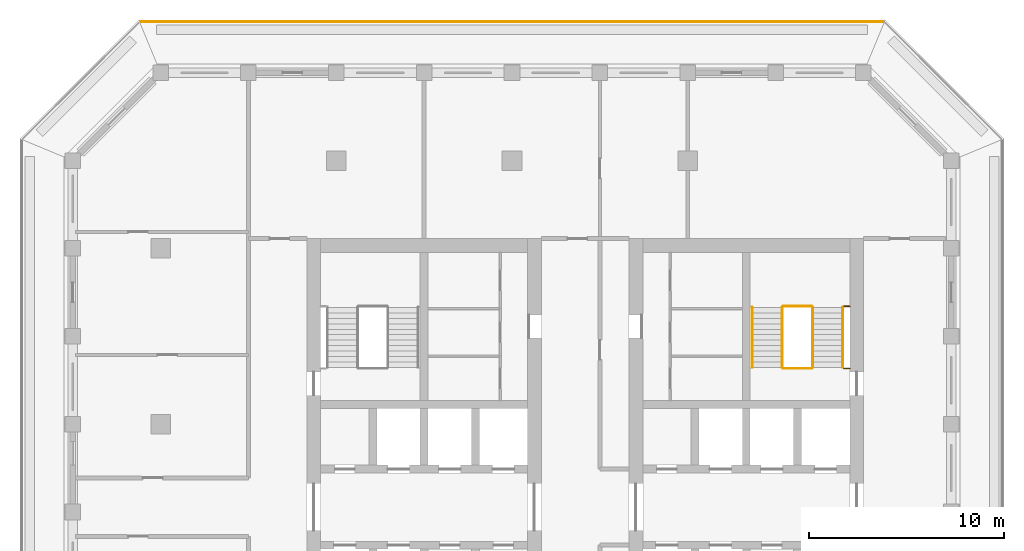
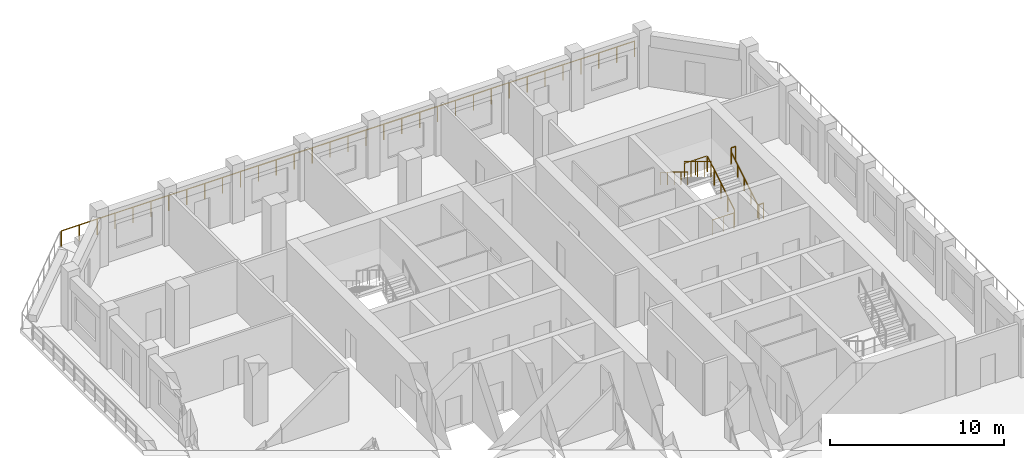
# One storey, part 12 of 14: 9 railings.
"""IFC4 building model written with IfcOpenShell, lengths in metres."""

from ifc_helpers import new_model, si_unit, direction, frame, origin, origin_2d, place, context, subcontext, project, spatial, circle, extrude, material, type_object, element, save


model = new_model("IFC4")

# Units and contexts
model_context = context("Model", 3, precision=1e-05, world=origin(), true_north=direction((0.0, 1.0)))
body_context = subcontext(model_context, "Body", "Model", "MODEL_VIEW")
ifc_project = project(units=[si_unit("LENGTHUNIT", "METRE"), si_unit("AREAUNIT", "SQUARE_METRE"), si_unit("VOLUMEUNIT", "CUBIC_METRE"), si_unit("PLANEANGLEUNIT", "RADIAN"), si_unit("MASSUNIT", "GRAM", prefix="KILO")], contexts=[model_context])

# Site, building, storey
site_placement = place(None, origin())
site = spatial("IfcSite", under=ifc_project, at=site_placement, CompositionType="ELEMENT")
building_placement = place(site_placement, origin())
building = spatial("IfcBuilding", under=site, at=building_placement, Name="Corbel Stack Research Tower", CompositionType="ELEMENT")
storey_placement = place(building_placement, frame((0.0, 0.0, 286.800048828125)))
storey = spatial("IfcBuildingStorey", under=building, at=storey_placement, Name="L65", CompositionType="ELEMENT", Elevation=286.800048828125)

# Railings
ifc_material_1 = material(Name="Steel S355", Category="steel")
railing_type_1 = type_object("IfcRailingType", Name="Stair guard 1100", PredefinedType="GUARDRAIL", material=ifc_material_1)
railing_1_placement = place(storey_placement, frame((15.39990234375, 11.89990234375, 0.1708984375)))
element("IfcRailing", 1, at=railing_1_placement, inside=storey, type_object=railing_type_1, Name="L65 ST-E2 stair guard 1", PredefinedType="GUARDRAIL", context=body_context, shape_type="SweptSolid", body=[
    extrude(circle(Radius=0.02392578125, at=origin_2d()), frame((0.0, 0.0, 1.076171875), z_axis=(0.0, 0.853666305674, 0.52082035152), x_axis=(-1.0, 0.0, 0.0)), (0.0, 0.0, 1.0), 3.608154296875),
    extrude(circle(Radius=0.02099609375, at=origin_2d()), origin(), (0.0, 0.0, 1.0), 1.052001953125),
    extrude(circle(Radius=0.02099609375, at=origin_2d()), frame((0.0, 0.77001953125, 0.4697265625)), (0.0, 0.0, 1.0), 1.052001953125),
    extrude(circle(Radius=0.02099609375, at=origin_2d()), frame((0.0, 1.5400390625, 0.939453125)), (0.0, 0.0, 1.0), 1.052001953125),
    extrude(circle(Radius=0.02099609375, at=origin_2d()), frame((0.0, 2.31005859375, 1.409423828125)), (0.0, 0.0, 1.0), 1.052001953125),
    extrude(circle(Radius=0.02099609375, at=origin_2d()), frame((0.0, 3.080078125, 1.879150390625)), (0.0, 0.0, 1.0), 1.052001953125),
])
railing_2_placement = place(storey_placement, frame((15.35009765625, 15.030029296875, 2.050048828125)))
element("IfcRailing", 2, at=railing_2_placement, inside=storey, type_object=railing_type_1, Name="L65 ST-E2 stair guard 2", PredefinedType="GUARDRAIL", context=body_context, shape_type="SweptSolid", body=[
    extrude(circle(Radius=0.02392578125, at=origin_2d()), frame((0.0, 0.0, 1.076171875), z_axis=(-1.0, 0.0, 0.0), x_axis=(0.0, -1.0, 0.0)), (0.0, 0.0, 1.0), 1.4501953125),
    extrude(circle(Radius=0.02099609375, at=origin_2d()), origin(), (0.0, 0.0, 1.0), 1.052001953125),
    extrude(circle(Radius=0.02099609375, at=origin_2d()), frame((-0.72509765625, 0.0, 0.0)), (0.0, 0.0, 1.0), 1.052001953125),
    extrude(circle(Radius=0.02099609375, at=origin_2d()), frame((-1.4501953125, 0.0, 0.0)), (0.0, 0.0, 1.0), 1.052001953125),
])
railing_3_placement = place(storey_placement, frame((17.300048828125, 15.030029296875, 2.050048828125)))
element("IfcRailing", 3, at=railing_3_placement, inside=storey, type_object=railing_type_1, Name="L65 ST-E2 stair guard 3", PredefinedType="GUARDRAIL", context=body_context, shape_type="SweptSolid", body=[
    extrude(circle(Radius=0.02392578125, at=origin_2d()), frame((0.0, 0.0, 1.076171875), z_axis=(-1.0, 0.0, 0.0), x_axis=(0.0, -1.0, 0.0)), (0.0, 0.0, 1.0), 0.300048828125),
    extrude(circle(Radius=0.02099609375, at=origin_2d()), origin(), (0.0, 0.0, 1.0), 1.052001953125),
    extrude(circle(Radius=0.02099609375, at=origin_2d()), frame((-0.300048828125, 0.0, 0.0)), (0.0, 0.0, 1.0), 1.052001953125),
])
railing_4_placement = place(storey_placement, frame((13.85009765625, 14.97998046875, 2.220703125)))
element("IfcRailing", 4, at=railing_4_placement, inside=storey, type_object=railing_type_1, Name="L65 ST-E2 stair guard 4", PredefinedType="GUARDRAIL", context=body_context, shape_type="SweptSolid", body=[
    extrude(circle(Radius=0.02392578125, at=origin_2d()), frame((0.0, 0.0, 1.076171875), z_axis=(0.0, -0.853666305674, 0.52082035152), x_axis=(1.0, 0.0, 0.0)), (0.0, 0.0, 1.0), 3.608154296875),
    extrude(circle(Radius=0.02099609375, at=origin_2d()), origin(), (0.0, 0.0, 1.0), 1.052001953125),
    extrude(circle(Radius=0.02099609375, at=origin_2d()), frame((0.0, -0.77001953125, 0.4697265625)), (0.0, 0.0, 1.0), 1.052001953125),
    extrude(circle(Radius=0.02099609375, at=origin_2d()), frame((0.0, -1.5400390625, 0.939453125)), (0.0, 0.0, 1.0), 1.052001953125),
    extrude(circle(Radius=0.02099609375, at=origin_2d()), frame((0.0, -2.31005859375, 1.409423828125)), (0.0, 0.0, 1.0), 1.052001953125),
    extrude(circle(Radius=0.02099609375, at=origin_2d()), frame((0.0, -3.080078125, 1.879150390625)), (0.0, 0.0, 1.0), 1.052001953125),
])
railing_5_placement = place(storey_placement, frame((15.35009765625, 11.85009765625, 0.0)))
element("IfcRailing", 5, at=railing_5_placement, inside=storey, type_object=railing_type_1, Name="L65 ST-E2 stair guard 5", PredefinedType="GUARDRAIL", context=body_context, shape_type="SweptSolid", body=[
    extrude(circle(Radius=0.02392578125, at=origin_2d()), frame((0.0, 0.0, 1.076171875), z_axis=(-1.0, 0.0, 0.0), x_axis=(0.0, -1.0, 0.0)), (0.0, 0.0, 1.0), 1.4501953125),
    extrude(circle(Radius=0.02099609375, at=origin_2d()), origin(), (0.0, 0.0, 1.0), 1.052001953125),
    extrude(circle(Radius=0.02099609375, at=origin_2d()), frame((-0.72509765625, 0.0, 0.0)), (0.0, 0.0, 1.0), 1.052001953125),
    extrude(circle(Radius=0.02099609375, at=origin_2d()), frame((-1.4501953125, 0.0, 0.0)), (0.0, 0.0, 1.0), 1.052001953125),
])
railing_6_placement = place(storey_placement, frame((17.300048828125, 11.85009765625, 0.0)))
element("IfcRailing", 6, at=railing_6_placement, inside=storey, type_object=railing_type_1, Name="L65 ST-E2 stair guard 6", PredefinedType="GUARDRAIL", context=body_context, shape_type="SweptSolid", body=[
    extrude(circle(Radius=0.02392578125, at=origin_2d()), frame((0.0, 0.0, 1.076171875), z_axis=(-1.0, 0.0, 0.0), x_axis=(0.0, -1.0, 0.0)), (0.0, 0.0, 1.0), 0.300048828125),
    extrude(circle(Radius=0.02099609375, at=origin_2d()), origin(), (0.0, 0.0, 1.0), 1.052001953125),
    extrude(circle(Radius=0.02099609375, at=origin_2d()), frame((-0.300048828125, 0.0, 0.0)), (0.0, 0.0, 1.0), 1.052001953125),
])
ifc_material_2 = material(Name="Steel S355", Category="steel")
railing_type_2 = type_object("IfcRailingType", Name="Stair handrail 900", PredefinedType="HANDRAIL", material=ifc_material_2)
railing_7_placement = place(storey_placement, frame((16.949951171875, 11.89990234375, 0.1708984375)))
element("IfcRailing", 7, at=railing_7_placement, inside=storey, type_object=railing_type_2, Name="L65 ST-E2 stair handrail 1", PredefinedType="HANDRAIL", context=body_context, shape_type="SweptSolid", body=[
    extrude(circle(Radius=0.02392578125, at=origin_2d()), frame((0.0, 0.0, 0.8759765625), z_axis=(0.0, 0.853666305674, 0.52082035152), x_axis=(-1.0, 0.0, 0.0)), (0.0, 0.0, 1.0), 3.608154296875),
    extrude(circle(Radius=0.02099609375, at=origin_2d()), origin(), (0.0, 0.0, 1.0), 0.851806640625),
    extrude(circle(Radius=0.02099609375, at=origin_2d()), frame((0.0, 0.77001953125, 0.4697265625)), (0.0, 0.0, 1.0), 0.851806640625),
    extrude(circle(Radius=0.02099609375, at=origin_2d()), frame((0.0, 1.5400390625, 0.939453125)), (0.0, 0.0, 1.0), 0.851806640625),
    extrude(circle(Radius=0.02099609375, at=origin_2d()), frame((0.0, 2.31005859375, 1.409423828125)), (0.0, 0.0, 1.0), 0.851806640625),
    extrude(circle(Radius=0.02099609375, at=origin_2d()), frame((0.0, 3.080078125, 1.879150390625)), (0.0, 0.0, 1.0), 0.851806640625),
])
railing_8_placement = place(storey_placement, frame((12.300048828125, 14.97998046875, 2.220703125)))
element("IfcRailing", 8, at=railing_8_placement, inside=storey, type_object=railing_type_2, Name="L65 ST-E2 stair handrail 2", PredefinedType="HANDRAIL", context=body_context, shape_type="SweptSolid", body=[
    extrude(circle(Radius=0.02392578125, at=origin_2d()), frame((0.0, 0.0, 0.8759765625), z_axis=(0.0, -0.853666305674, 0.52082035152), x_axis=(1.0, 0.0, 0.0)), (0.0, 0.0, 1.0), 3.608154296875),
    extrude(circle(Radius=0.02099609375, at=origin_2d()), origin(), (0.0, 0.0, 1.0), 0.851806640625),
    extrude(circle(Radius=0.02099609375, at=origin_2d()), frame((0.0, -0.77001953125, 0.4697265625)), (0.0, 0.0, 1.0), 0.851806640625),
    extrude(circle(Radius=0.02099609375, at=origin_2d()), frame((0.0, -1.5400390625, 0.939453125)), (0.0, 0.0, 1.0), 0.851806640625),
    extrude(circle(Radius=0.02099609375, at=origin_2d()), frame((0.0, -2.31005859375, 1.409423828125)), (0.0, 0.0, 1.0), 0.851806640625),
    extrude(circle(Radius=0.02099609375, at=origin_2d()), frame((0.0, -3.080078125, 1.879150390625)), (0.0, 0.0, 1.0), 0.851806640625),
])
ifc_material_3 = material(Name="Powder-coated steel guard", Category="steel")
railing_type_3 = type_object("IfcRailingType", Name="Steel and glass guard 1100", PredefinedType="GUARDRAIL", material=ifc_material_3)
railing_9_placement = place(storey_placement, frame((19.00537109375, 29.60009765625, 0.0)))
element("IfcRailing", 9, at=railing_9_placement, inside=storey, type_object=railing_type_3, Name="Loggia guard L65 N", PredefinedType="GUARDRAIL", context=body_context, shape_type="SweptSolid", body=[
    extrude(circle(Radius=0.02392578125, at=origin_2d()), frame((0.0, 0.0, 1.076171875), z_axis=(-1.0, 0.0, 0.0), x_axis=(0.0, -1.0, 0.0)), (0.0, 0.0, 1.0), 38.0107421875),
    extrude(circle(Radius=0.02099609375, at=origin_2d()), origin(), (0.0, 0.0, 1.0), 1.052001953125),
    extrude(circle(Radius=0.02099609375, at=origin_2d()), frame((-1.187744140625, 0.0, 0.0)), (0.0, 0.0, 1.0), 1.052001953125),
    extrude(circle(Radius=0.02099609375, at=origin_2d()), frame((-2.375732421875, 0.0, 0.0)), (0.0, 0.0, 1.0), 1.052001953125),
    extrude(circle(Radius=0.02099609375, at=origin_2d()), frame((-3.5634765625, 0.0, 0.0)), (0.0, 0.0, 1.0), 1.052001953125),
    extrude(circle(Radius=0.02099609375, at=origin_2d()), frame((-4.75146484375, 0.0, 0.0)), (0.0, 0.0, 1.0), 1.052001953125),
    extrude(circle(Radius=0.02099609375, at=origin_2d()), frame((-5.939208984375, 0.0, 0.0)), (0.0, 0.0, 1.0), 1.052001953125),
    extrude(circle(Radius=0.02099609375, at=origin_2d()), frame((-7.126953125, 0.0, 0.0)), (0.0, 0.0, 1.0), 1.052001953125),
    extrude(circle(Radius=0.02099609375, at=origin_2d()), frame((-8.31494140625, 0.0, 0.0)), (0.0, 0.0, 1.0), 1.052001953125),
    extrude(circle(Radius=0.02099609375, at=origin_2d()), frame((-9.502685546875, 0.0, 0.0)), (0.0, 0.0, 1.0), 1.052001953125),
    extrude(circle(Radius=0.02099609375, at=origin_2d()), frame((-10.6904296875, 0.0, 0.0)), (0.0, 0.0, 1.0), 1.052001953125),
    extrude(circle(Radius=0.02099609375, at=origin_2d()), frame((-11.87841796875, 0.0, 0.0)), (0.0, 0.0, 1.0), 1.052001953125),
    extrude(circle(Radius=0.02099609375, at=origin_2d()), frame((-13.066162109375, 0.0, 0.0)), (0.0, 0.0, 1.0), 1.052001953125),
    extrude(circle(Radius=0.02099609375, at=origin_2d()), frame((-14.25390625, 0.0, 0.0)), (0.0, 0.0, 1.0), 1.052001953125),
    extrude(circle(Radius=0.02099609375, at=origin_2d()), frame((-15.44189453125, 0.0, 0.0)), (0.0, 0.0, 1.0), 1.052001953125),
    extrude(circle(Radius=0.02099609375, at=origin_2d()), frame((-16.629638671875, 0.0, 0.0)), (0.0, 0.0, 1.0), 1.052001953125),
    extrude(circle(Radius=0.02099609375, at=origin_2d()), frame((-17.817626953125, 0.0, 0.0)), (0.0, 0.0, 1.0), 1.052001953125),
    extrude(circle(Radius=0.02099609375, at=origin_2d()), frame((-19.00537109375, 0.0, 0.0)), (0.0, 0.0, 1.0), 1.052001953125),
    extrude(circle(Radius=0.02099609375, at=origin_2d()), frame((-20.193115234375, 0.0, 0.0)), (0.0, 0.0, 1.0), 1.052001953125),
    extrude(circle(Radius=0.02099609375, at=origin_2d()), frame((-21.381103515625, 0.0, 0.0)), (0.0, 0.0, 1.0), 1.052001953125),
    extrude(circle(Radius=0.02099609375, at=origin_2d()), frame((-22.56884765625, 0.0, 0.0)), (0.0, 0.0, 1.0), 1.052001953125),
    extrude(circle(Radius=0.02099609375, at=origin_2d()), frame((-23.7568359375, 0.0, 0.0)), (0.0, 0.0, 1.0), 1.052001953125),
    extrude(circle(Radius=0.02099609375, at=origin_2d()), frame((-24.944580078125, 0.0, 0.0)), (0.0, 0.0, 1.0), 1.052001953125),
    extrude(circle(Radius=0.02099609375, at=origin_2d()), frame((-26.13232421875, 0.0, 0.0)), (0.0, 0.0, 1.0), 1.052001953125),
    extrude(circle(Radius=0.02099609375, at=origin_2d()), frame((-27.3203125, 0.0, 0.0)), (0.0, 0.0, 1.0), 1.052001953125),
    extrude(circle(Radius=0.02099609375, at=origin_2d()), frame((-28.508056640625, 0.0, 0.0)), (0.0, 0.0, 1.0), 1.052001953125),
    extrude(circle(Radius=0.02099609375, at=origin_2d()), frame((-29.69580078125, 0.0, 0.0)), (0.0, 0.0, 1.0), 1.052001953125),
    extrude(circle(Radius=0.02099609375, at=origin_2d()), frame((-30.8837890625, 0.0, 0.0)), (0.0, 0.0, 1.0), 1.052001953125),
    extrude(circle(Radius=0.02099609375, at=origin_2d()), frame((-32.071533203125, 0.0, 0.0)), (0.0, 0.0, 1.0), 1.052001953125),
    extrude(circle(Radius=0.02099609375, at=origin_2d()), frame((-33.25927734375, 0.0, 0.0)), (0.0, 0.0, 1.0), 1.052001953125),
    extrude(circle(Radius=0.02099609375, at=origin_2d()), frame((-34.447265625, 0.0, 0.0)), (0.0, 0.0, 1.0), 1.052001953125),
    extrude(circle(Radius=0.02099609375, at=origin_2d()), frame((-35.635009765625, 0.0, 0.0)), (0.0, 0.0, 1.0), 1.052001953125),
    extrude(circle(Radius=0.02099609375, at=origin_2d()), frame((-36.822998046875, 0.0, 0.0)), (0.0, 0.0, 1.0), 1.052001953125),
    extrude(circle(Radius=0.02099609375, at=origin_2d()), frame((-38.0107421875, 0.0, 0.0)), (0.0, 0.0, 1.0), 1.052001953125),
])

save(model, "model.ifc")
